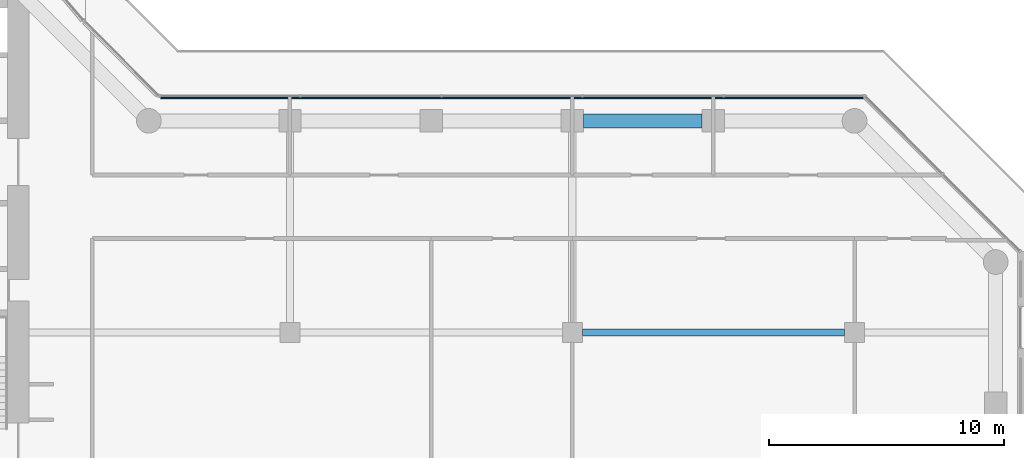
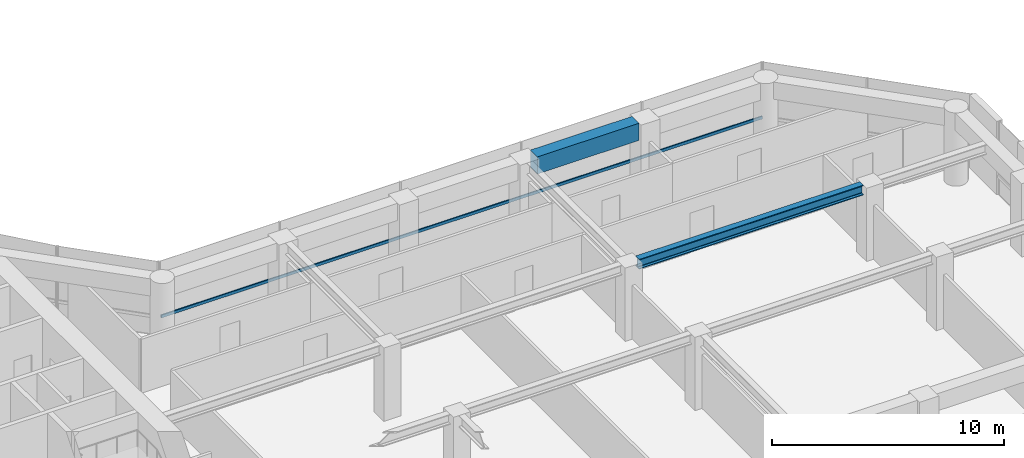
# One storey, part 10 of 29: 2 beams, 1 member, 1 element without a shape of its own.
"""IFC4 building model written with IfcOpenShell, lengths in metres."""

from ifc_helpers import new_model, si_unit, direction, frame, origin, origin_2d, place, context, subcontext, project, spatial, rectangle, i_section, extrude, material, layer, layer_set, material_profile, profile_set, type_object, element, aggregate, save


model = new_model("IFC4")

# Units and contexts
model_context = context("Model", 3, precision=1e-05, world=origin(), true_north=direction((0.0, 1.0)))
body_context = subcontext(model_context, "Body", "Model", "MODEL_VIEW")
ifc_project = project(units=[si_unit("LENGTHUNIT", "METRE"), si_unit("AREAUNIT", "SQUARE_METRE"), si_unit("VOLUMEUNIT", "CUBIC_METRE"), si_unit("PLANEANGLEUNIT", "RADIAN"), si_unit("MASSUNIT", "GRAM", prefix="KILO")], contexts=[model_context])

# Site, building, storey
site_placement = place(None, origin())
site = spatial("IfcSite", under=ifc_project, at=site_placement, CompositionType="ELEMENT")
building_placement = place(site_placement, origin())
building = spatial("IfcBuilding", under=site, at=building_placement, Name="Welwitschia Terrace Campus", CompositionType="ELEMENT")
storey_placement = place(building_placement, frame((0.0, 0.0, 33.199951171875)))
storey = spatial("IfcBuildingStorey", under=building, at=storey_placement, Name="L07", CompositionType="ELEMENT", Elevation=33.199951171875)

# Beams
ifc_material_1 = material(Name="Steel S355", Category="steel")
ifc_material_profile_1 = material_profile(ifc_material_1, i_section(OverallWidth=0.305908203125, OverallDepth=0.52392578125, WebThickness=0.02099609375, FlangeThickness=0.0400390625, FilletRadius=0.027099609375, at=origin_2d()))
ifc_profile_set_1 = profile_set([ifc_material_profile_1], Name="Steel S355")
beam_type_1 = type_object("IfcBeamType", Name="Interior girder HE 500 M", PredefinedType="BEAM", material=ifc_profile_set_1)
beam_1_placement = place(storey_placement, frame((48.425537109375, 11.0, 3.588134765625), z_axis=(1.0, 0.0, 0.0), x_axis=(0.0, 1.0, 0.0)))
element("IfcBeam", 1, at=beam_1_placement, inside=storey, type_object=beam_type_1, Name="Girder GB2", PredefinedType="BEAM", context=body_context, shape_type="SweptSolid", body=[
    extrude(i_section(OverallWidth=0.305908203125, OverallDepth=0.52392578125, WebThickness=0.02099609375, FlangeThickness=0.0400390625, FilletRadius=0.027099609375, at=origin_2d()), origin(), (0.0, 0.0, 1.0), 11.14892578125),
])
ifc_material_2 = material(Name="Concrete C60/75", Category="concrete")
ifc_material_profile_2 = material_profile(ifc_material_2, rectangle(XDim=0.60009765625, YDim=0.89990234375, at=origin_2d()))
ifc_profile_set_2 = profile_set([ifc_material_profile_2], Name="Concrete C60/75")
beam_type_2 = type_object("IfcBeamType", Name="Ring spandrel 600x900", PredefinedType="SPANDREL", material=ifc_profile_set_2)
beam_2_placement = place(storey_placement, frame((53.5244140625, 20.0, 3.400146484375), z_axis=(-1.0, 0.0, 0.0), x_axis=(0.0, -1.0, 0.0)))
element("IfcBeam", 2, at=beam_2_placement, inside=storey, type_object=beam_type_2, Name="Spandrel SP2", PredefinedType="SPANDREL", context=body_context, shape_type="SweptSolid", body=[
    extrude(rectangle(XDim=0.60009765625, YDim=0.89990234375, at=origin_2d()), origin(), (0.0, 0.0, 1.0), 5.048828125),
])

# Curtain wall, member
ifc_material_3 = material(Name="Bronze anodised aluminium", Category="aluminium")
ifc_layer = layer(ifc_material_3, 0.1201171875)
ifc_layer_set = layer_set([ifc_layer], Name="Bronze anodised aluminium")
curtain_wall_type = type_object("IfcCurtainWallType", Name="Curtain wall CW2 tower 6000", PredefinedType="NOTDEFINED", material=ifc_layer_set)
curtain_wall_placement = place(storey_placement, origin())
curtain_wall = element("IfcCurtainWall", 3, at=curtain_wall_placement, inside=storey, type_object=curtain_wall_type, Name="CW L07.11.0", PredefinedType="NOTDEFINED")
ifc_material_4 = material(Name="Bronze anodised aluminium", Category="aluminium")
ifc_material_profile_3 = material_profile(ifc_material_4, rectangle(XDim=0.06005859375, YDim=0.14990234375, at=origin_2d()))
ifc_profile_set_3 = profile_set([ifc_material_profile_3], Name="Bronze anodised aluminium")
member_type = type_object("IfcMemberType", Name="Transom 60x150", PredefinedType="USERDEFINED", material=ifc_profile_set_3)
member_placement = place(storey_placement, frame((60.378173828125, 20.968017578125, 1.0), z_axis=(-1.0, 0.0, 0.0), x_axis=(0.0, -1.0, 0.0)))
member = element("IfcMember", 4, at=member_placement, type_object=member_type, Name="Transom L07.11.0", ObjectType="TRANSOM", PredefinedType="USERDEFINED", context=body_context, shape_type="SweptSolid", body=[
    extrude(rectangle(XDim=0.06005859375, YDim=0.14990234375, at=origin_2d()), origin(), (0.0, 0.0, 1.0), 29.8798828125),
])
aggregate(curtain_wall, [member])

save(model, "model.ifc")
